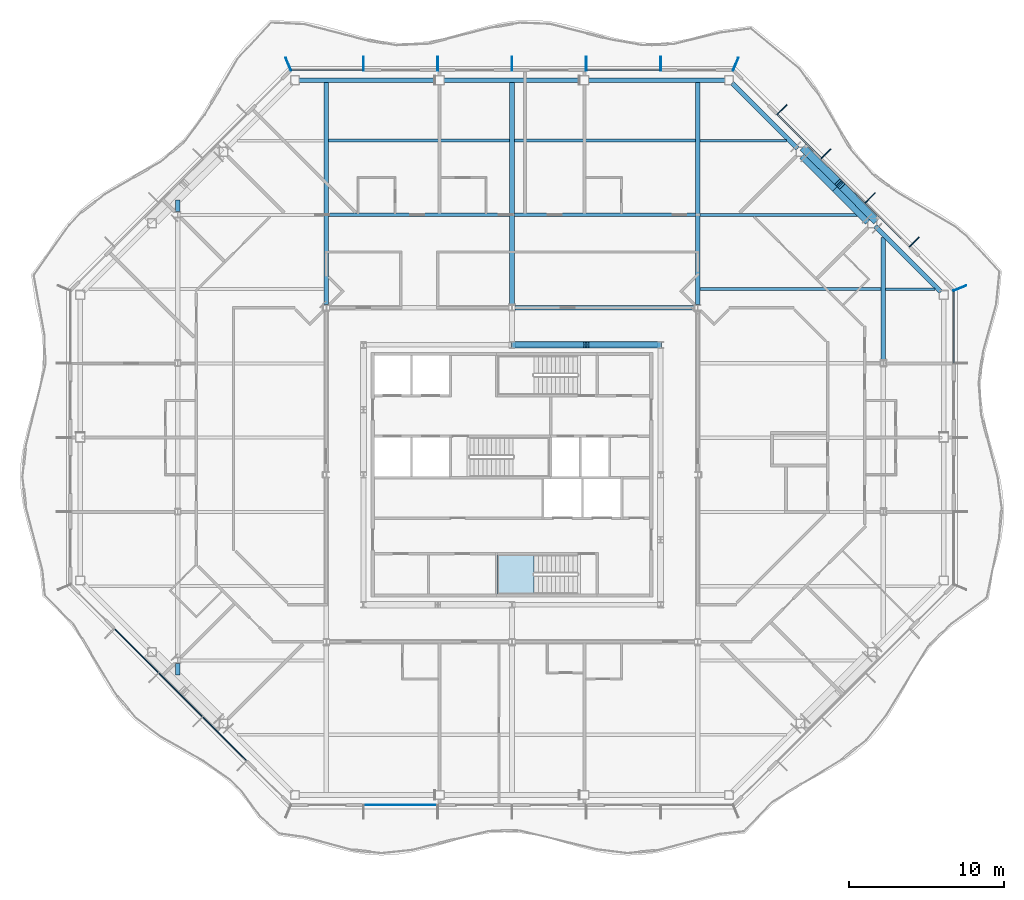
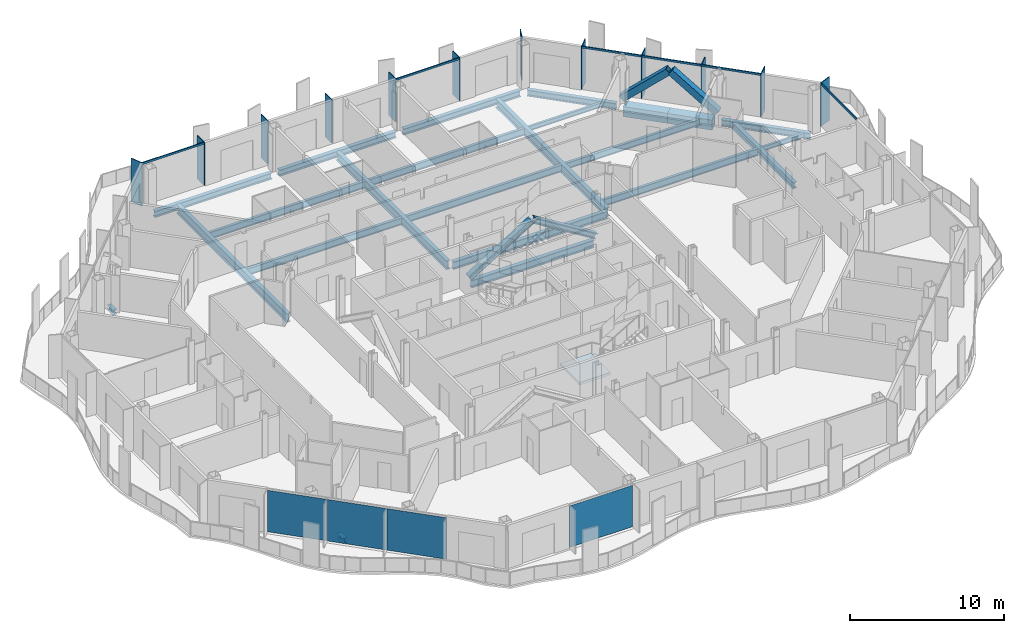
# One storey, part 5 of 21: 23 beams, 22 members, 4 plates, 1 slab, 7 elements without a shape of their own.
"""IFC4 building model written with IfcOpenShell, lengths in metres."""

from ifc_helpers import new_model, si_unit, direction, frame, origin, origin_2d, place, context, subcontext, project, spatial, polyline, rectangle, hollow_rectangle, i_section, outline, extrude, material, layer, layer_set, material_profile, profile_set, type_object, element, aggregate, save


model = new_model("IFC4")

# Units and contexts
model_context = context("Model", 3, precision=1e-05, world=origin(), true_north=direction((0.0, 1.0)))
body_context = subcontext(model_context, "Body", "Model", "MODEL_VIEW")
ifc_project = project(units=[si_unit("LENGTHUNIT", "METRE"), si_unit("AREAUNIT", "SQUARE_METRE"), si_unit("VOLUMEUNIT", "CUBIC_METRE"), si_unit("PLANEANGLEUNIT", "RADIAN"), si_unit("MASSUNIT", "GRAM", prefix="KILO")], contexts=[model_context])

# Site, building, storey
site_placement = place(None, origin())
site = spatial("IfcSite", under=ifc_project, at=site_placement, CompositionType="ELEMENT")
building_placement = place(site_placement, origin())
building = spatial("IfcBuilding", under=site, at=building_placement, Name="Cairn Pilgrim Tower", CompositionType="ELEMENT")
storey_placement = place(building_placement, frame((0.0, 0.0, 157.800048828125)))
storey = spatial("IfcBuildingStorey", under=building, at=storey_placement, Name="L39", CompositionType="ELEMENT", Elevation=157.800048828125)

# Members
ifc_material_1 = material(Name="Structural steel S460M", Category="steel")
ifc_material_profile_1 = material_profile(ifc_material_1, hollow_rectangle(XDim=0.5, YDim=0.5, WallThickness=0.030029296875, at=origin_2d()), Name="BOX 500x500x30")
ifc_profile_set_1 = profile_set([ifc_material_profile_1], Name="Structural steel S460M")
member_type_1 = type_object("IfcMemberType", Name="BOX 500x500x30 BRACE", PredefinedType="BRACE", material=ifc_profile_set_1)
for number, where, z_axis, x_axis, name in (
    (1, (30.643310546875, 18.89794921875, 0.14990234375), (-0.53283023714, 0.540432836476, 0.651171473306), (-0.712097799006, -0.702080283622, 0.0), "XB-NE2-NE3-1"),
    (2, (26.097900390625, 23.443359375, 0.14990234375), (0.540432836476, -0.53283023714, 0.651171473306), (0.702080283622, 0.712097799006, 0.0), "XB-NE2-NE3-2"),
):
    element("IfcMember", number, at=place(storey_placement, frame(where, z_axis=z_axis, x_axis=x_axis)), inside=storey, type_object=member_type_1, Name=name, PredefinedType="BRACE", context=body_context, shape_type="SweptSolid", body=[
        extrude(hollow_rectangle(XDim=0.5, YDim=0.5, WallThickness=0.030029296875, at=origin_2d()), origin(), (0.0, 0.0, 1.0), 4.142578125),
    ])

# Beams
ifc_material_2 = material(Name="Structural steel S355J2", Category="steel")
ifc_material_profile_2 = material_profile(ifc_material_2, hollow_rectangle(XDim=0.699951171875, YDim=0.800048828125, WallThickness=0.0400390625, at=origin_2d()), Name="BOX 700x800x40")
ifc_profile_set_2 = profile_set([ifc_material_profile_2], Name="Structural steel S355J2")
beam_type_1 = type_object("IfcBeamType", Name="BOX 700x800x40 RING GIRDER", PredefinedType="SPANDREL", material=ifc_profile_set_2)
beam_1_placement = place(storey_placement, frame((30.284912109375, 18.84228515625, -0.550048828125), z_axis=(-0.707106781187, 0.707106781187, 0.0), x_axis=(-0.707106781187, -0.707106781187, 0.0)))
element("IfcBeam", 3, at=beam_1_placement, inside=storey, type_object=beam_type_1, Name="RG2-NE2-NE3-1", PredefinedType="SPANDREL", context=body_context, shape_type="SweptSolid", body=[
    extrude(hollow_rectangle(XDim=0.699951171875, YDim=0.800048828125, WallThickness=0.0400390625, at=origin_2d()), origin(), (0.0, 0.0, 1.0), 3.0),
])
beam_2_placement = place(storey_placement, frame((28.16357421875, 20.963623046875, -0.550048828125), z_axis=(-0.707106781187, 0.707106781187, 0.0), x_axis=(-0.707106781187, -0.707106781187, 0.0)))
element("IfcBeam", 4, at=beam_2_placement, inside=storey, type_object=beam_type_1, Name="RG2-NE2-NE3-2", PredefinedType="SPANDREL", context=body_context, shape_type="SweptSolid", body=[
    extrude(hollow_rectangle(XDim=0.699951171875, YDim=0.800048828125, WallThickness=0.0400390625, at=origin_2d()), origin(), (0.0, 0.0, 1.0), 2.999755859375),
])

# Curtain wall, members
ifc_material_3 = material(Name="Aluminium alloy 6063-T6 bronze anodised with Bronze tinted laminated low-E glass 8+16+8.8", Category="aluminium")
curtain_wall_type_1 = type_object("IfcCurtainWallType", Name="CHAMFER CORNER CURTAIN WALL", PredefinedType="NOTDEFINED", material=ifc_material_3)
curtain_wall_1_placement = place(storey_placement, origin())
curtain_wall_1 = element("IfcCurtainWall", 5, at=curtain_wall_1_placement, inside=storey, type_object=curtain_wall_type_1, Name="Chamfer Corner Curtain Wall NE", PredefinedType="NOTDEFINED")
ifc_material_4 = material(Name="Aluminium alloy 6063-T6 bronze anodised", Category="aluminium")
ifc_material_profile_3 = material_profile(ifc_material_4, rectangle(XDim=0.89990234375, YDim=0.06005859375, at=origin_2d()), Name="FIN MULLION 60x900 BRONZE")
ifc_profile_set_3 = profile_set([ifc_material_profile_3], Name="Aluminium alloy 6063-T6 bronze anodised")
member_type_2 = type_object("IfcMemberType", Name="FIN MULLION 60x900 BRONZE", PredefinedType="MULLION", material=ifc_profile_set_3)
member_1_placement = place(storey_placement, frame((36.137939453125, 14.457275390625, 0.0), z_axis=(0.0, 0.0, 1.0), x_axis=(0.923879532511, 0.382683432365, 0.0)))
member_1 = element("IfcMember", 6, at=member_1_placement, type_object=member_type_2, Name="Fin mullion NE1", PredefinedType="MULLION", context=body_context, shape_type="SweptSolid", body=[
    extrude(rectangle(XDim=0.89990234375, YDim=0.06005859375, at=origin_2d()), origin(), (0.0, 0.0, 1.0), 3.449951171875),
])
member_2_placement = place(storey_placement, frame((33.1962890625, 17.444091796875, 0.0), z_axis=(0.0, 0.0, 1.0), x_axis=(0.707106781187, 0.707106781187, 0.0)))
member_2 = element("IfcMember", 7, at=member_2_placement, type_object=member_type_2, Name="Fin mullion NE2", PredefinedType="MULLION", context=body_context, shape_type="SweptSolid", body=[
    extrude(rectangle(XDim=0.89990234375, YDim=0.06005859375, at=origin_2d()), origin(), (0.0, 0.0, 1.0), 3.449951171875),
])
member_3_placement = place(storey_placement, frame((30.345458984375, 20.294921875, 0.0), z_axis=(0.0, 0.0, 1.0), x_axis=(0.707106781187, 0.707106781187, 0.0)))
member_3 = element("IfcMember", 8, at=member_3_placement, type_object=member_type_2, Name="Fin mullion NE3", PredefinedType="MULLION", context=body_context, shape_type="SweptSolid", body=[
    extrude(rectangle(XDim=0.89990234375, YDim=0.06005859375, at=origin_2d()), origin(), (0.0, 0.0, 1.0), 3.449951171875),
])
member_4_placement = place(storey_placement, frame((27.494873046875, 23.1455078125, 0.0), z_axis=(0.0, 0.0, 1.0), x_axis=(0.707106781187, 0.707106781187, 0.0)))
member_4 = element("IfcMember", 9, at=member_4_placement, type_object=member_type_2, Name="Fin mullion NE4", PredefinedType="MULLION", context=body_context, shape_type="SweptSolid", body=[
    extrude(rectangle(XDim=0.89990234375, YDim=0.06005859375, at=origin_2d()), origin(), (0.0, 0.0, 1.0), 3.449951171875),
])
member_5_placement = place(storey_placement, frame((24.64404296875, 25.996337890625, 0.0), z_axis=(0.0, 0.0, 1.0), x_axis=(0.707106781187, 0.707106781187, 0.0)))
member_5 = element("IfcMember", 10, at=member_5_placement, type_object=member_type_2, Name="Fin mullion NE5", PredefinedType="MULLION", context=body_context, shape_type="SweptSolid", body=[
    extrude(rectangle(XDim=0.89990234375, YDim=0.06005859375, at=origin_2d()), origin(), (0.0, 0.0, 1.0), 3.449951171875),
])

curtain_wall_type_2 = type_object("IfcCurtainWallType", Name="TOWER STICK CURTAIN WALL NS", PredefinedType="NOTDEFINED", material=ifc_material_3)
curtain_wall_2_placement = place(storey_placement, origin())
curtain_wall_2 = element("IfcCurtainWall", 11, at=curtain_wall_2_placement, inside=storey, type_object=curtain_wall_type_2, Name="Tower Stick Curtain Wall Ns N", PredefinedType="NOTDEFINED")
member_6_placement = place(storey_placement, frame((21.6572265625, 28.93798828125, 0.0), z_axis=(0.0, 0.0, 1.0), x_axis=(0.382683432365, 0.923879532511, 0.0)))
member_6 = element("IfcMember", 12, at=member_6_placement, type_object=member_type_2, Name="Fin mullion N1", PredefinedType="MULLION", context=body_context, shape_type="SweptSolid", body=[
    extrude(rectangle(XDim=0.89990234375, YDim=0.06005859375, at=origin_2d()), origin(), (0.0, 0.0, 1.0), 3.449951171875),
])
member_7_placement = place(storey_placement, frame((16.800048828125, 28.969970703125, 0.0), z_axis=(0.0, 0.0, 1.0), x_axis=(0.0, 1.0, 0.0)))
member_7 = element("IfcMember", 13, at=member_7_placement, type_object=member_type_2, Name="Fin mullion N2", PredefinedType="MULLION", context=body_context, shape_type="SweptSolid", body=[
    extrude(rectangle(XDim=0.89990234375, YDim=0.06005859375, at=origin_2d()), origin(), (0.0, 0.0, 1.0), 3.449951171875),
])
member_8_placement = place(storey_placement, frame((12.0, 28.969970703125, 0.0), z_axis=(0.0, 0.0, 1.0), x_axis=(0.0, 1.0, 0.0)))
member_8 = element("IfcMember", 14, at=member_8_placement, type_object=member_type_2, Name="Fin mullion N3", PredefinedType="MULLION", context=body_context, shape_type="SweptSolid", body=[
    extrude(rectangle(XDim=0.89990234375, YDim=0.06005859375, at=origin_2d()), origin(), (0.0, 0.0, 1.0), 3.449951171875),
])
member_9_placement = place(storey_placement, frame((7.199951171875, 28.969970703125, 0.0), z_axis=(0.0, 0.0, 1.0), x_axis=(0.0, 1.0, 0.0)))
member_9 = element("IfcMember", 15, at=member_9_placement, type_object=member_type_2, Name="Fin mullion N4", PredefinedType="MULLION", context=body_context, shape_type="SweptSolid", body=[
    extrude(rectangle(XDim=0.89990234375, YDim=0.06005859375, at=origin_2d()), origin(), (0.0, 0.0, 1.0), 3.449951171875),
])
member_10_placement = place(storey_placement, frame((2.39990234375, 28.969970703125, 0.0), z_axis=(0.0, 0.0, 1.0), x_axis=(0.0, 1.0, 0.0)))
member_10 = element("IfcMember", 16, at=member_10_placement, type_object=member_type_2, Name="Fin mullion N5", PredefinedType="MULLION", context=body_context, shape_type="SweptSolid", body=[
    extrude(rectangle(XDim=0.89990234375, YDim=0.06005859375, at=origin_2d()), origin(), (0.0, 0.0, 1.0), 3.449951171875),
])
member_11_placement = place(storey_placement, frame((-2.39990234375, 28.969970703125, 0.0), z_axis=(0.0, 0.0, 1.0), x_axis=(0.0, 1.0, 0.0)))
member_11 = element("IfcMember", 17, at=member_11_placement, type_object=member_type_2, Name="Fin mullion N6", PredefinedType="MULLION", context=body_context, shape_type="SweptSolid", body=[
    extrude(rectangle(XDim=0.89990234375, YDim=0.06005859375, at=origin_2d()), origin(), (0.0, 0.0, 1.0), 3.449951171875),
])

# Curtain wall, member
curtain_wall_3_placement = place(storey_placement, origin())
curtain_wall_3 = element("IfcCurtainWall", 18, at=curtain_wall_3_placement, inside=storey, type_object=curtain_wall_type_1, Name="Chamfer Corner Curtain Wall NW", PredefinedType="NOTDEFINED")
member_12_placement = place(storey_placement, frame((-7.257080078125, 28.93798828125, 0.0), z_axis=(0.0, 0.0, 1.0), x_axis=(-0.382683432365, 0.923879532511, 0.0)))
member_12 = element("IfcMember", 19, at=member_12_placement, type_object=member_type_2, Name="Fin mullion NW1", PredefinedType="MULLION", context=body_context, shape_type="SweptSolid", body=[
    extrude(rectangle(XDim=0.89990234375, YDim=0.06005859375, at=origin_2d()), origin(), (0.0, 0.0, 1.0), 3.449951171875),
])
aggregate(curtain_wall_3, [member_12])

# Members
ifc_material_profile_4 = material_profile(ifc_material_1, i_section(OverallWidth=0.408935546875, OverallDepth=0.425048828125, WebThickness=0.03271484375, FlangeThickness=0.052490234375, FilletRadius=0.014892578125, at=origin_2d()), Name="HD 400x421")
ifc_profile_set_4 = profile_set([ifc_material_profile_4], Name="Structural steel S460M")
member_type_3 = type_object("IfcMemberType", Name="HD 400x421 BRACE", PredefinedType="BRACE", material=ifc_profile_set_4)
for number, where, z_axis, x_axis, name in (
    (20, (16.75830078125, 10.800048828125, 0.099853515625), (-0.851099832195, 0.0, 0.525003881545), (0.0, -1.0, 0.0), "KB-3A"),
    (21, (7.24169921875, 10.800048828125, 0.099853515625), (0.851099832195, 0.0, 0.525003881545), (0.0, 1.0, 0.0), "KB-3B"),
):
    element("IfcMember", number, at=place(storey_placement, frame(where, z_axis=z_axis, x_axis=x_axis)), inside=storey, type_object=member_type_3, Name=name, PredefinedType="BRACE", context=body_context, shape_type="SweptSolid", body=[
        extrude(i_section(OverallWidth=0.408935546875, OverallDepth=0.425048828125, WebThickness=0.03271484375, FlangeThickness=0.052490234375, FilletRadius=0.014892578125, at=origin_2d()), origin(), (0.0, 0.0, 1.0), 5.5283203125),
    ])

# Beams
ifc_material_profile_5 = material_profile(ifc_material_2, i_section(OverallWidth=0.300048828125, OverallDepth=0.39990234375, WebThickness=0.013427734375, FlangeThickness=0.02392578125, FilletRadius=0.027099609375, at=origin_2d()), Name="HEB 400")
ifc_profile_set_5 = profile_set([ifc_material_profile_5], Name="Structural steel S355J2")
beam_type_2 = type_object("IfcBeamType", Name="HEB 400 GIRDER", PredefinedType="BEAM", material=ifc_profile_set_5)
for number, where, z_axis, x_axis, name in (
    (22, (-14.39990234375, -10.545166015625, -0.35009765625), (0.0, 1.0, 0.0), (-1.0, 0.0, 0.0), "PG1-E1"),
    (23, (-14.39990234375, 19.3994140625, -0.35009765625), (0.0, 1.0, 0.0), (-1.0, 0.0, 0.0), "PG1-E2"),
):
    element("IfcBeam", number, at=place(storey_placement, frame(where, z_axis=z_axis, x_axis=x_axis)), inside=storey, type_object=beam_type_2, Name=name, PredefinedType="BEAM", context=body_context, shape_type="SweptSolid", body=[
        extrude(i_section(OverallWidth=0.300048828125, OverallDepth=0.39990234375, WebThickness=0.013427734375, FlangeThickness=0.02392578125, FilletRadius=0.027099609375, at=origin_2d()), origin(), (0.0, 0.0, 1.0), 0.74560546875),
    ])
ifc_material_profile_6 = material_profile(ifc_material_2, i_section(OverallWidth=0.300048828125, OverallDepth=0.5, WebThickness=0.014404296875, FlangeThickness=0.028076171875, FilletRadius=0.027099609375, at=origin_2d()), Name="HEB 500")
ifc_profile_set_6 = profile_set([ifc_material_profile_6], Name="Structural steel S355J2")
beam_type_3 = type_object("IfcBeamType", Name="HEB 500 GIRDER", PredefinedType="BEAM", material=ifc_profile_set_6)
beam_3_placement = place(storey_placement, frame((31.199951171875, 9.804443359375, -0.400146484375), z_axis=(0.0, 1.0, 0.0), x_axis=(-1.0, 0.0, 0.0)))
element("IfcBeam", 24, at=beam_3_placement, inside=storey, type_object=beam_type_3, Name="PG5-3", PredefinedType="BEAM", context=body_context, shape_type="SweptSolid", body=[
    extrude(i_section(OverallWidth=0.300048828125, OverallDepth=0.5, WebThickness=0.014404296875, FlangeThickness=0.028076171875, FilletRadius=0.027099609375, at=origin_2d()), origin(), (0.0, 0.0, 1.0), 7.940673828125),
])
ifc_material_profile_7 = material_profile(ifc_material_2, i_section(OverallWidth=0.300048828125, OverallDepth=0.5, WebThickness=0.014404296875, FlangeThickness=0.028076171875, FilletRadius=0.027099609375, at=origin_2d()), Name="HEB 500")
ifc_profile_set_7 = profile_set([ifc_material_profile_7], Name="Structural steel S355J2")
beam_type_4 = type_object("IfcBeamType", Name="HEB 500 RING GIRDER", PredefinedType="SPANDREL", material=ifc_profile_set_7)
beam_4_placement = place(storey_placement, frame((34.9091796875, 14.218017578125, -0.400146484375), z_axis=(-0.707086435425, 0.707127126363, 0.0), x_axis=(-0.707127126363, -0.707086435425, 0.0)))
element("IfcBeam", 25, at=beam_4_placement, inside=storey, type_object=beam_type_4, Name="RG2-NE1-NE2", PredefinedType="SPANDREL", context=body_context, shape_type="SweptSolid", body=[
    extrude(i_section(OverallWidth=0.300048828125, OverallDepth=0.5, WebThickness=0.014404296875, FlangeThickness=0.028076171875, FilletRadius=0.027099609375, at=origin_2d()), origin(), (0.0, 0.0, 1.0), 5.999755859375),
])
beam_5_placement = place(storey_placement, frame((25.66064453125, 23.466796875, -0.400146484375), z_axis=(-0.707127127534, 0.707086434254, 0.0), x_axis=(-0.707086434254, -0.707127127534, 0.0)))
element("IfcBeam", 26, at=beam_5_placement, inside=storey, type_object=beam_type_4, Name="RG2-NE3-N1", PredefinedType="SPANDREL", context=body_context, shape_type="SweptSolid", body=[
    extrude(i_section(OverallWidth=0.300048828125, OverallDepth=0.5, WebThickness=0.014404296875, FlangeThickness=0.028076171875, FilletRadius=0.027099609375, at=origin_2d()), origin(), (0.0, 0.0, 1.0), 5.99951171875),
])
for number, where, z_axis, x_axis, name in (
    (27, (20.957275390625, 27.89990234375, -0.400146484375), (-1.0, 0.0, 0.0), (0.0, -1.0, 0.0), "RG2-N1-N2"),
    (28, (11.605712890625, 27.89990234375, -0.400146484375), (-1.0, 0.0, 0.0), (0.0, -1.0, 0.0), "RG2-N2-N3"),
    (29, (2.25439453125, 27.89990234375, -0.400146484375), (-1.0, 0.0, 0.0), (0.0, -1.0, 0.0), "RG2-N3-NW1"),
):
    element("IfcBeam", number, at=place(storey_placement, frame(where, z_axis=z_axis, x_axis=x_axis)), inside=storey, type_object=beam_type_4, Name=name, PredefinedType="SPANDREL", context=body_context, shape_type="SweptSolid", body=[
        extrude(i_section(OverallWidth=0.300048828125, OverallDepth=0.5, WebThickness=0.014404296875, FlangeThickness=0.028076171875, FilletRadius=0.027099609375, at=origin_2d()), origin(), (0.0, 0.0, 1.0), 8.8115234375),
    ])
ifc_material_profile_8 = material_profile(ifc_material_2, i_section(OverallWidth=0.300048828125, OverallDepth=0.60009765625, WebThickness=0.015380859375, FlangeThickness=0.030029296875, FilletRadius=0.027099609375, at=origin_2d()), Name="HEB 600")
ifc_profile_set_8 = profile_set([ifc_material_profile_8], Name="Structural steel S355J2")
beam_type_5 = type_object("IfcBeamType", Name="HEB 600 CORE BEAM", PredefinedType="BEAM", material=ifc_profile_set_8)
beam_6_placement = place(storey_placement, frame((16.61279296875, 10.800048828125, -0.449951171875), z_axis=(-1.0, 0.0, 0.0), x_axis=(0.0, -1.0, 0.0)))
element("IfcBeam", 30, at=beam_6_placement, inside=storey, type_object=beam_type_5, Name="CB-5", PredefinedType="BEAM", context=body_context, shape_type="SweptSolid", body=[
    extrude(i_section(OverallWidth=0.300048828125, OverallDepth=0.60009765625, WebThickness=0.015380859375, FlangeThickness=0.030029296875, FilletRadius=0.027099609375, at=origin_2d()), origin(), (0.0, 0.0, 1.0), 9.2255859375),
])
ifc_material_profile_9 = material_profile(ifc_material_2, i_section(OverallWidth=0.300048828125, OverallDepth=0.60009765625, WebThickness=0.015380859375, FlangeThickness=0.030029296875, FilletRadius=0.027099609375, at=origin_2d()), Name="HEB 600")
ifc_profile_set_9 = profile_set([ifc_material_profile_9], Name="Structural steel S355J2")
beam_type_6 = type_object("IfcBeamType", Name="HEB 600 INNER GIRDER", PredefinedType="BEAM", material=ifc_profile_set_9)
beam_7_placement = place(storey_placement, frame((7.3994140625, 13.199951171875, -0.449951171875), z_axis=(1.0, 0.0, 0.0), x_axis=(0.0, 1.0, 0.0)))
element("IfcBeam", 31, at=beam_7_placement, inside=storey, type_object=beam_type_6, Name="IG2-2", PredefinedType="BEAM", context=body_context, shape_type="SweptSolid", body=[
    extrude(i_section(OverallWidth=0.300048828125, OverallDepth=0.60009765625, WebThickness=0.015380859375, FlangeThickness=0.030029296875, FilletRadius=0.027099609375, at=origin_2d()), origin(), (0.0, 0.0, 1.0), 11.60107421875),
])
ifc_material_profile_10 = material_profile(ifc_material_2, i_section(OverallWidth=0.300048828125, OverallDepth=0.699951171875, WebThickness=0.01708984375, FlangeThickness=0.031982421875, FilletRadius=0.027099609375, at=origin_2d()), Name="HEB 700")
ifc_profile_set_10 = profile_set([ifc_material_profile_10], Name="Structural steel S355J2")
beam_type_7 = type_object("IfcBeamType", Name="HEB 700 GIRDER", PredefinedType="BEAM", material=ifc_profile_set_10)
for number, where, z_axis, x_axis, name in (
    (32, (-4.800048828125, 13.3994140625, -0.5), (0.0, 1.0, 0.0), (-1.0, 0.0, 0.0), "PG2-4"),
    (33, (7.199951171875, 13.3994140625, -0.5), (0.0, 1.0, 0.0), (-1.0, 0.0, 0.0), "PG3-2"),
    (34, (19.199951171875, 13.3994140625, -0.5), (0.0, 1.0, 0.0), (-1.0, 0.0, 0.0), "PG4-4"),
):
    element("IfcBeam", number, at=place(storey_placement, frame(where, z_axis=z_axis, x_axis=x_axis)), inside=storey, type_object=beam_type_7, Name=name, PredefinedType="BEAM", context=body_context, shape_type="SweptSolid", body=[
        extrude(i_section(OverallWidth=0.300048828125, OverallDepth=0.699951171875, WebThickness=0.01708984375, FlangeThickness=0.031982421875, FilletRadius=0.027099609375, at=origin_2d()), origin(), (0.0, 0.0, 1.0), 14.380615234375),
    ])
ifc_material_profile_11 = material_profile(ifc_material_2, i_section(OverallWidth=0.169921875, OverallDepth=0.360107421875, WebThickness=0.008056640625, FlangeThickness=0.0126953125, FilletRadius=0.01806640625, at=origin_2d()), Name="IPE 360")
ifc_profile_set_11 = profile_set([ifc_material_profile_11], Name="Structural steel S355J2")
beam_type_8 = type_object("IfcBeamType", Name="IPE 360 SECONDARY BEAM", PredefinedType="JOIST", material=ifc_profile_set_11)
beam_8_placement = place(storey_placement, frame((31.35009765625, 14.39990234375, -0.330078125), z_axis=(1.0, 0.0, 0.0), x_axis=(0.0, 1.0, 0.0)))
element("IfcBeam", 35, at=beam_8_placement, inside=storey, type_object=beam_type_8, Name="SB7-4", PredefinedType="JOIST", context=body_context, shape_type="SweptSolid", body=[
    extrude(i_section(OverallWidth=0.169921875, OverallDepth=0.360107421875, WebThickness=0.008056640625, FlangeThickness=0.0126953125, FilletRadius=0.01806640625, at=origin_2d()), origin(), (0.0, 0.0, 1.0), 3.195068359375),
])
beam_9_placement = place(storey_placement, frame((19.35009765625, 24.0, -0.330078125), z_axis=(1.0, 0.0, 0.0), x_axis=(0.0, 1.0, 0.0)))
element("IfcBeam", 36, at=beam_9_placement, inside=storey, type_object=beam_type_8, Name="SB9-4", PredefinedType="JOIST", context=body_context, shape_type="SweptSolid", body=[
    extrude(i_section(OverallWidth=0.169921875, OverallDepth=0.360107421875, WebThickness=0.008056640625, FlangeThickness=0.0126953125, FilletRadius=0.01806640625, at=origin_2d()), origin(), (0.0, 0.0, 1.0), 5.594970703125),
])
ifc_material_profile_12 = material_profile(ifc_material_2, i_section(OverallWidth=0.199951171875, OverallDepth=0.5, WebThickness=0.01025390625, FlangeThickness=0.01611328125, FilletRadius=0.02099609375, at=origin_2d()), Name="IPE 500")
ifc_profile_set_12 = profile_set([ifc_material_profile_12], Name="Structural steel S355J2")
beam_type_9 = type_object("IfcBeamType", Name="IPE 500 SECONDARY BEAM", PredefinedType="JOIST", material=ifc_profile_set_12)
beam_10_placement = place(storey_placement, frame((19.35009765625, 19.199951171875, -0.400146484375), z_axis=(1.0, 0.0, 0.0), x_axis=(0.0, 1.0, 0.0)))
element("IfcBeam", 37, at=beam_10_placement, inside=storey, type_object=beam_type_9, Name="SB8-4", PredefinedType="JOIST", context=body_context, shape_type="SweptSolid", body=[
    extrude(i_section(OverallWidth=0.199951171875, OverallDepth=0.5, WebThickness=0.01025390625, FlangeThickness=0.01611328125, FilletRadius=0.02099609375, at=origin_2d()), origin(), (0.0, 0.0, 1.0), 10.39501953125),
])
ifc_material_profile_13 = material_profile(ifc_material_2, i_section(OverallWidth=0.2099609375, OverallDepth=0.550048828125, WebThickness=0.010986328125, FlangeThickness=0.01708984375, FilletRadius=0.02392578125, at=origin_2d()), Name="IPE 550")
ifc_profile_set_13 = profile_set([ifc_material_profile_13], Name="Structural steel S355J2")
beam_type_10 = type_object("IfcBeamType", Name="IPE 550 SECONDARY BEAM", PredefinedType="JOIST", material=ifc_profile_set_13)
for number, where, z_axis, x_axis, name in (
    (38, (19.35009765625, 14.39990234375, -0.425048828125), (1.0, 0.0, 0.0), (0.0, 1.0, 0.0), "SB7-3"),
    (39, (-4.64990234375, 19.199951171875, -0.425048828125), (1.0, 0.0, 0.0), (0.0, 1.0, 0.0), "SB8-2"),
    (40, (7.35009765625, 19.199951171875, -0.425048828125), (1.0, 0.0, 0.0), (0.0, 1.0, 0.0), "SB8-3"),
    (41, (-4.64990234375, 24.0, -0.425048828125), (1.0, 0.0, 0.0), (0.0, 1.0, 0.0), "SB9-2"),
    (42, (7.35009765625, 24.0, -0.425048828125), (1.0, 0.0, 0.0), (0.0, 1.0, 0.0), "SB9-3"),
):
    element("IfcBeam", number, at=place(storey_placement, frame(where, z_axis=z_axis, x_axis=x_axis)), inside=storey, type_object=beam_type_10, Name=name, PredefinedType="JOIST", context=body_context, shape_type="SweptSolid", body=[
        extrude(i_section(OverallWidth=0.2099609375, OverallDepth=0.550048828125, WebThickness=0.010986328125, FlangeThickness=0.01708984375, FilletRadius=0.02392578125, at=origin_2d()), origin(), (0.0, 0.0, 1.0), 11.699951171875),
    ])

# Curtain wall, member
curtain_wall_type_3 = type_object("IfcCurtainWallType", Name="TOWER STICK CURTAIN WALL EW", PredefinedType="NOTDEFINED", material=ifc_material_3)
curtain_wall_4_placement = place(storey_placement, origin())
curtain_wall_4 = element("IfcCurtainWall", 43, at=curtain_wall_4_placement, inside=storey, type_object=curtain_wall_type_3, Name="Tower Stick Curtain Wall Ew E", PredefinedType="NOTDEFINED")
ifc_material_profile_14 = material_profile(ifc_material_4, rectangle(XDim=0.080078125, YDim=0.14990234375, at=origin_2d()), Name="TRANSOM 80x150 BRONZE")
ifc_profile_set_14 = profile_set([ifc_material_profile_14], Name="Aluminium alloy 6063-T6 bronze anodised")
member_type_4 = type_object("IfcMemberType", Name="TRANSOM 80x150 BRONZE", PredefinedType="USERDEFINED", material=ifc_profile_set_14)
member_13_placement = place(storey_placement, frame((35.75, 9.6298828125, 3.375), z_axis=(0.0, 1.0, 0.0), x_axis=(-1.0, 0.0, 0.0)))
member_13 = element("IfcMember", 44, at=member_13_placement, type_object=member_type_4, Name="Transom E4", ObjectType="TRANSOM", PredefinedType="USERDEFINED", context=body_context, shape_type="SweptSolid", body=[
    extrude(rectangle(XDim=0.080078125, YDim=0.14990234375, at=origin_2d()), origin(), (0.0, 0.0, 1.0), 4.62646484375),
])
aggregate(curtain_wall_4, [member_13])

# Member
member_14_placement = place(storey_placement, frame((32.878173828125, 17.16845703125, 3.375), z_axis=(-0.70713751761, 0.707076043427, 0.0), x_axis=(-0.707076043427, -0.70713751761, 0.0)))
member_14 = element("IfcMember", 45, at=member_14_placement, type_object=member_type_4, Name="Transom NE2", ObjectType="TRANSOM", PredefinedType="USERDEFINED", context=body_context, shape_type="SweptSolid", body=[
    extrude(rectangle(XDim=0.080078125, YDim=0.14990234375, at=origin_2d()), origin(), (0.0, 0.0, 1.0), 3.971435546875),
])

member_15_placement = place(storey_placement, frame((30.02734375, 20.01904296875, 3.375), z_axis=(-0.707106781187, 0.707106781187, 0.0), x_axis=(-0.707106781187, -0.707106781187, 0.0)))
member_15 = element("IfcMember", 46, at=member_15_placement, type_object=member_type_4, Name="Transom NE3", ObjectType="TRANSOM", PredefinedType="USERDEFINED", context=body_context, shape_type="SweptSolid", body=[
    extrude(rectangle(XDim=0.080078125, YDim=0.14990234375, at=origin_2d()), origin(), (0.0, 0.0, 1.0), 3.9716796875),
])

member_16_placement = place(storey_placement, frame((27.1767578125, 22.869873046875, 3.375), z_axis=(-0.70713751761, 0.707076043427, 0.0), x_axis=(-0.707076043427, -0.70713751761, 0.0)))
member_16 = element("IfcMember", 47, at=member_16_placement, type_object=member_type_4, Name="Transom NE4", ObjectType="TRANSOM", PredefinedType="USERDEFINED", context=body_context, shape_type="SweptSolid", body=[
    extrude(rectangle(XDim=0.080078125, YDim=0.14990234375, at=origin_2d()), origin(), (0.0, 0.0, 1.0), 3.971435546875),
])

aggregate(curtain_wall_1, [member_1, member_2, member_3, member_4, member_5, member_14, member_15, member_16])

member_17_placement = place(storey_placement, frame((16.77001953125, 28.550048828125, 3.375), z_axis=(-1.0, 0.0, 0.0), x_axis=(0.0, -1.0, 0.0)))
member_17 = element("IfcMember", 48, at=member_17_placement, type_object=member_type_4, Name="Transom N2", ObjectType="TRANSOM", PredefinedType="USERDEFINED", context=body_context, shape_type="SweptSolid", body=[
    extrude(rectangle(XDim=0.080078125, YDim=0.14990234375, at=origin_2d()), origin(), (0.0, 0.0, 1.0), 4.739990234375),
])

member_18_placement = place(storey_placement, frame((-2.429931640625, 28.550048828125, 3.375), z_axis=(-1.0, 0.0, 0.0), x_axis=(0.0, -1.0, 0.0)))
member_18 = element("IfcMember", 49, at=member_18_placement, type_object=member_type_4, Name="Transom N6", ObjectType="TRANSOM", PredefinedType="USERDEFINED", context=body_context, shape_type="SweptSolid", body=[
    extrude(rectangle(XDim=0.080078125, YDim=0.14990234375, at=origin_2d()), origin(), (0.0, 0.0, 1.0), 4.62646484375),
])

aggregate(curtain_wall_2, [member_6, member_7, member_8, member_9, member_10, member_11, member_17, member_18])

# Curtain wall, plates
curtain_wall_5_placement = place(storey_placement, origin())
curtain_wall_5 = element("IfcCurtainWall", 50, at=curtain_wall_5_placement, inside=storey, type_object=curtain_wall_type_1, Name="Chamfer Corner Curtain Wall SW", PredefinedType="NOTDEFINED")
ifc_material_5 = material(Name="Bronze anodised aluminium spandrel panel with mineral wool insulation", Category="aluminium")
ifc_layer_1 = layer(ifc_material_5, 0.06005859375)
ifc_layer_set_1 = layer_set([ifc_layer_1], Name="SPANDREL PANEL 3972x3300")
plate_type_1 = type_object("IfcPlateType", Name="SPANDREL PANEL 3972x3300", PredefinedType="CURTAIN_PANEL", material=ifc_layer_set_1)
plate_1_placement = place(storey_placement, frame((-17.073974609375, -8.972412109375, 0.0), z_axis=(0.0, 0.0, 1.0), x_axis=(0.707106781187, -0.707106781187, 0.0)))
plate_1 = element("IfcPlate", 51, at=plate_1_placement, type_object=plate_type_1, Name="Spandrel Panel SW2-1", PredefinedType="CURTAIN_PANEL", context=body_context, shape_type="SweptSolid", body=[
    extrude(rectangle(XDim=3.971435546875, YDim=0.06005859375, at=origin_2d()), origin(), (0.0, 0.0, 1.0), 3.300048828125),
])
plate_2_placement = place(storey_placement, frame((-14.22314453125, -11.8232421875, 0.0), z_axis=(0.0, 0.0, 1.0), x_axis=(0.707106781187, -0.707106781187, 0.0)))
plate_2 = element("IfcPlate", 52, at=plate_2_placement, type_object=plate_type_1, Name="Spandrel Panel SW3-1", PredefinedType="CURTAIN_PANEL", context=body_context, shape_type="SweptSolid", body=[
    extrude(rectangle(XDim=3.971435546875, YDim=0.06005859375, at=origin_2d()), origin(), (0.0, 0.0, 1.0), 3.300048828125),
])
plate_3_placement = place(storey_placement, frame((-11.37255859375, -14.673828125, 0.0), z_axis=(0.0, 0.0, 1.0), x_axis=(0.707106781187, -0.707106781187, 0.0)))
plate_3 = element("IfcPlate", 53, at=plate_3_placement, type_object=plate_type_1, Name="Spandrel Panel SW4-1", PredefinedType="CURTAIN_PANEL", context=body_context, shape_type="SweptSolid", body=[
    extrude(rectangle(XDim=3.971435546875, YDim=0.06005859375, at=origin_2d()), origin(), (0.0, 0.0, 1.0), 3.300048828125),
])
aggregate(curtain_wall_5, [plate_1, plate_2, plate_3])

# Stair, slab
ifc_material_6 = material(Name="Concrete C32/40", Category="concrete")
stair_type = type_object("IfcStairType", Name="EXIT STAIR 1200", PredefinedType="HALF_TURN_STAIR", material=ifc_material_6)
stair_placement = place(storey_placement, origin())
stair = element("IfcStair", 54, at=stair_placement, inside=storey, type_object=stair_type, Name="L39 Exit Stair A", PredefinedType="HALF_TURN_STAIR")
ifc_layer_2 = layer(ifc_material_6, 0.199951171875)
ifc_layer_set_2 = layer_set([ifc_layer_2], Name="STAIR LANDING 200")
slab_type = type_object("IfcSlabType", Name="STAIR LANDING 200", PredefinedType="LANDING", material=ifc_layer_set_2)
slab_placement = place(storey_placement, frame((0.0, 0.0, 1.599853515625)))
slab = element("IfcSlab", 55, at=slab_placement, type_object=slab_type, Name="ST-A landing 1", PredefinedType="LANDING", context=body_context, shape_type="SweptSolid", body=[
    extrude(outline(polyline([(8.625, -2.77490234375), (6.27490234375, -2.77490234375), (6.27490234375, -5.300048828125), (8.625, -5.300048828125), (8.625, -2.77490234375)])), origin(), (0.0, 0.0, 1.0), 0.2001953125),
])
aggregate(stair, [slab])

# Curtain wall, plate
curtain_wall_6_placement = place(storey_placement, origin())
curtain_wall_6 = element("IfcCurtainWall", 56, at=curtain_wall_6_placement, inside=storey, type_object=curtain_wall_type_2, Name="Tower Stick Curtain Wall Ns S", PredefinedType="NOTDEFINED")
ifc_material_7 = material(Name="Bronze tinted laminated low-E glass 8+16+8.8", Category="glass")
ifc_layer_3 = layer(ifc_material_7, 0.033935546875)
ifc_layer_set_3 = layer_set([ifc_layer_3], Name="VISION GLAZING 4740x3300")
plate_type_2 = type_object("IfcPlateType", Name="VISION GLAZING 4740x3300", PredefinedType="CURTAIN_PANEL", material=ifc_layer_set_3)
plate_4_placement = place(storey_placement, frame((0.0, -18.949951171875, 0.0), z_axis=(0.0, 0.0, 1.0), x_axis=(1.0, 0.0, 0.0)))
plate_4 = element("IfcPlate", 57, at=plate_4_placement, type_object=plate_type_2, Name="Vision Glazing S2-1", PredefinedType="CURTAIN_PANEL", context=body_context, shape_type="SweptSolid", body=[
    extrude(rectangle(XDim=4.739990234375, YDim=0.033935546875, at=origin_2d()), origin(), (0.0, 0.0, 1.0), 3.300048828125),
])
aggregate(curtain_wall_6, [plate_4])

save(model, "model.ifc")
